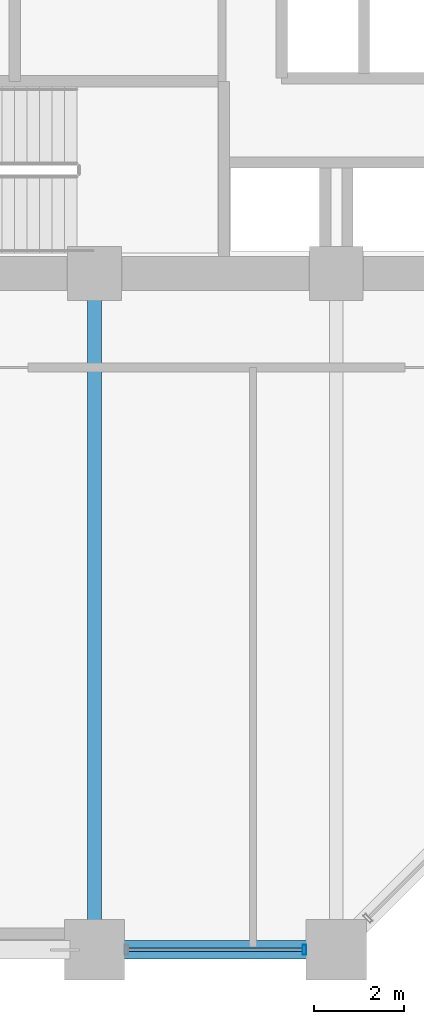
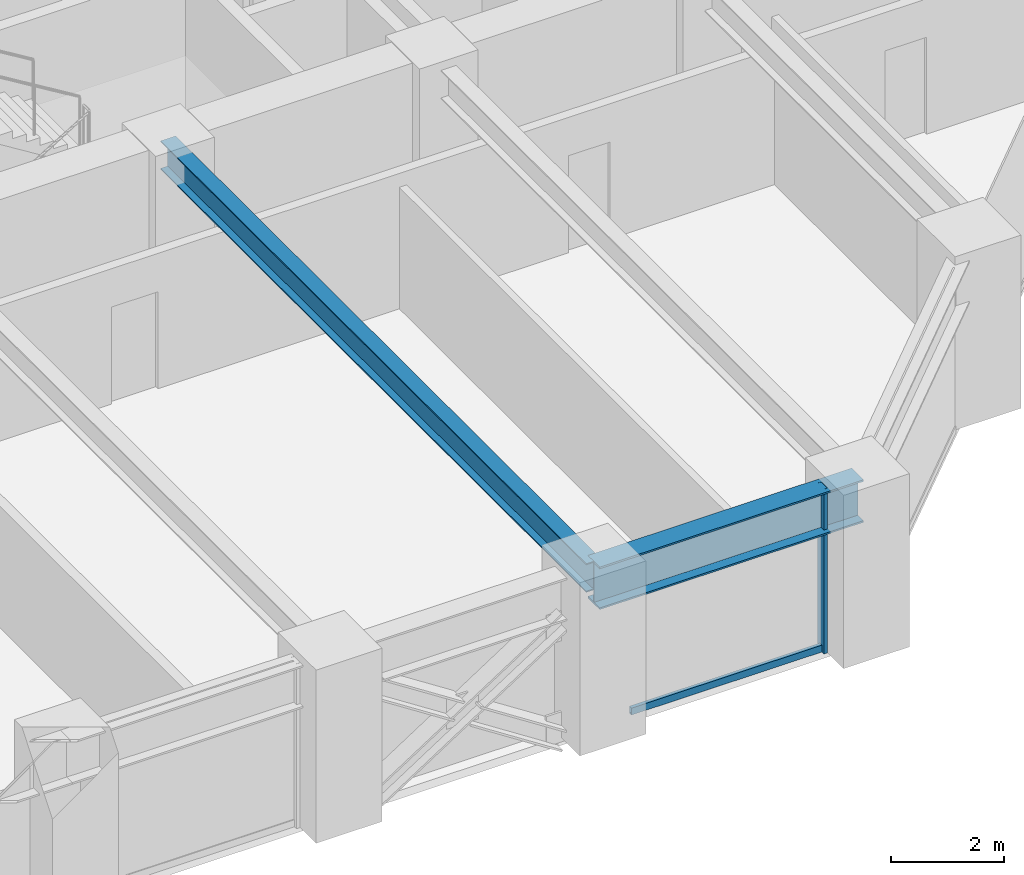
# One storey, part 5 of 25: 2 beams, 2 members, 1 element without a shape of its own.
"""IFC4 building model written with IfcOpenShell, lengths in metres."""

import ifcopenshell
import ifcopenshell.guid

model = None  # the IFC model being written
_history = None  # IfcOwnerHistory: only IFC2X3 demands one
_inside = {}  # id of a spatial element -> (the spatial element, [elements in it])
_under = {}  # id of a project, library or spatial element -> (it, [spatial elements below it])
_declared = {}  # id of a project -> (the project, [libraries it declares])
_typed = {}  # id of a type object -> (the type object, [elements of that type])
_made_of = {}  # id of a material, layer set ... -> (it, [elements and type objects made of it])


def new_model(schema):
    """Start an empty IFC model of exactly this schema.

    Asked for "IFC4X3", IfcOpenShell would pick the latest addendum, in which some entities
    have other attributes; the version numbers below select the first issue.
    IFC2X3 requires an IfcOwnerHistory on every rooted entity: one is made here for all.
    """
    global model, _history
    if schema == "IFC4X3":
        model = ifcopenshell.file(schema_version=(4, 3, 0, 0))
    else:
        model = ifcopenshell.file(schema=schema)
    _inside.clear()
    _under.clear()
    _declared.clear()
    _typed.clear()
    _made_of.clear()
    _history = None
    if model.schema == "IFC2X3":
        org = make("IfcOrganization", Name="unknown")
        user = make(
            "IfcPersonAndOrganization",
            ThePerson=make("IfcPerson", FamilyName="unknown"),
            TheOrganization=org,
        )
        app = make(
            "IfcApplication",
            ApplicationDeveloper=org,
            Version="unknown",
            ApplicationFullName="unknown",
            ApplicationIdentifier="unknown",
        )
        _history = make(
            "IfcOwnerHistory",
            OwningUser=user,
            OwningApplication=app,
            ChangeAction="ADDED",
            CreationDate=0,
        )
    return model


def make(cls, **values):
    """One entity of the class cls with the attributes given. An attribute that is None is left unset."""
    return model.create_entity(
        cls, **{name: value for name, value in values.items() if value is not None}
    )


def rooted(cls, **values):
    """An entity with a GlobalId (a new one), such as an element, a storey or a relation."""
    return make(cls, GlobalId=ifcopenshell.guid.new(), OwnerHistory=_history, **values)


def si_unit(unit_type, name, prefix=None):
    """IfcSIUnit, for example si_unit("LENGTHUNIT", "METRE", prefix="MILLI")."""
    return make("IfcSIUnit", UnitType=unit_type, Prefix=prefix, Name=name)


def assignment(units):
    """IfcUnitAssignment: the units of a project."""
    return None if units is None else make("IfcUnitAssignment", Units=units)


def point(xyz):
    """IfcCartesianPoint."""
    return None if xyz is None else make("IfcCartesianPoint", Coordinates=xyz)


def direction(xyz):
    """IfcDirection."""
    return None if xyz is None else make("IfcDirection", DirectionRatios=xyz)


def frame(location, z_axis=None, x_axis=None):
    """IfcAxis2Placement3D, a coordinate frame: its origin and axes. An axis left out is left unset."""
    return make(
        "IfcAxis2Placement3D",
        Location=point(location),
        Axis=direction(z_axis),
        RefDirection=direction(x_axis),
    )


def frame_2d(location, x_axis=None):
    """IfcAxis2Placement2D, a coordinate frame in the plane: its origin and x axis."""
    return make(
        "IfcAxis2Placement2D", Location=point(location), RefDirection=direction(x_axis)
    )


def origin():
    """The frame at (0, 0, 0) with its axes left unset."""
    return frame((0.0, 0.0, 0.0))


def origin_2d():
    """The frame at (0, 0) in the plane with its x axis left unset."""
    return frame_2d((0.0, 0.0))


def place(relative_to, where):
    """IfcLocalPlacement: puts the frame where relative to a parent placement (None: the world)."""
    return make(
        "IfcLocalPlacement", PlacementRelTo=relative_to, RelativePlacement=where
    )


def context(
    kind, dimensions, precision=None, world=None, true_north=None, identifier=None
):
    """IfcGeometricRepresentationContext, for example the 3D "Model" context."""
    return make(
        "IfcGeometricRepresentationContext",
        ContextIdentifier=identifier,
        ContextType=kind,
        CoordinateSpaceDimension=dimensions,
        Precision=precision,
        WorldCoordinateSystem=world,
        TrueNorth=true_north,
    )


def subcontext(parent, identifier, kind, view, scale=None):
    """IfcGeometricRepresentationSubContext, for example "Body" below "Model"."""
    return make(
        "IfcGeometricRepresentationSubContext",
        ContextIdentifier=identifier,
        ContextType=kind,
        ParentContext=parent,
        TargetScale=scale,
        TargetView=view,
    )


def project(units=None, contexts=None):
    """IfcProject with its units and contexts."""
    return rooted(
        "IfcProject",
        Name="project",
        RepresentationContexts=contexts,
        UnitsInContext=assignment(units),
    )


def spatial(cls, under=None, at=None, **own):
    """A site, building, storey or space (cls), placed at a placement, below another one or the project."""
    s = rooted(cls, ObjectPlacement=at, **own)
    if under is not None:
        _under.setdefault(under.id(), (under, []))[1].append(s)
    return s


def profile(cls, at=None, kind="AREA", **sizes):
    """A parametric profile (cls). Its sizes go by their IFC names, for example OverallWidth=200.0."""
    return make(cls, ProfileType=kind, Position=at, **sizes)


def hollow_rectangle(**sizes):
    """IfcRectangleHollowProfileDef."""
    return profile("IfcRectangleHollowProfileDef", **sizes)


def i_section(**sizes):
    """IfcIShapeProfileDef."""
    return profile("IfcIShapeProfileDef", **sizes)


def extrude(swept, where, along, depth):
    """IfcExtrudedAreaSolid: the profile swept, set in the frame where, extruded along a direction by depth."""
    return make(
        "IfcExtrudedAreaSolid",
        SweptArea=swept,
        Position=where,
        ExtrudedDirection=direction(along),
        Depth=depth,
    )


def shape(context_of_items, identifier, shape_type, items):
    """IfcShapeRepresentation: the items that make up one representation, for example the "Body"."""
    return make(
        "IfcShapeRepresentation",
        ContextOfItems=context_of_items,
        RepresentationIdentifier=identifier,
        RepresentationType=shape_type,
        Items=items,
    )


def material(Name=None, Category=None):
    """IfcMaterial."""
    return make("IfcMaterial", Name=Name, Category=Category)


def layer(
    of_material, thickness, ventilated=None, Name=None, Category=None, Priority=None
):
    """IfcMaterialLayer: one layer of a wall or slab, of a material (None: an air gap)."""
    return make(
        "IfcMaterialLayer",
        Material=of_material,
        LayerThickness=thickness,
        IsVentilated=ventilated,
        Name=Name,
        Category=Category,
        Priority=Priority,
    )


def layer_set(layers, Name=None):
    """IfcMaterialLayerSet."""
    return make("IfcMaterialLayerSet", MaterialLayers=layers, LayerSetName=Name)


def material_profile(
    of_material, cross_section, Name=None, Category=None, Priority=None
):
    """IfcMaterialProfile: a cross section and its material."""
    return make(
        "IfcMaterialProfile",
        Name=Name,
        Material=of_material,
        Profile=cross_section,
        Priority=Priority,
        Category=Category,
    )


def profile_set(profiles, Name=None, composite=None):
    """IfcMaterialProfileSet."""
    return make(
        "IfcMaterialProfileSet",
        Name=Name,
        MaterialProfiles=profiles,
        CompositeProfile=composite,
    )


def made_of(thing, what):
    """Note that an element or type object is made of a material, layer set ...; save() writes the relation."""
    if what is not None:
        _made_of.setdefault(what.id(), (what, []))[1].append(thing)
    return thing


def type_object(cls, material=None, **own):
    """A type object (cls), such as IfcWallType, which elements share."""
    return made_of(rooted(cls, **own), material)


def element(
    cls,
    number,
    at=None,
    inside=None,
    cuts=None,
    type_object=None,
    material=None,
    context=None,
    identifier="Body",
    shape_type=None,
    held_by="IfcProductDefinitionShape",
    body=None,
    shapes=None,
    **own,
):
    """One element of the class cls, such as IfcWall. Its Tag is "e" and its number.

    at: its placement. inside: the storey or other place that contains it. cuts: it is an
    opening in that element (IfcRelVoidsElement). A single representation is given by context,
    identifier, shape_type and body (its items); several are given by shapes. held_by: the class
    of the entity that holds the representations. save() writes the other relations.
    """
    e = rooted(cls, Tag="e%d" % number, ObjectPlacement=at, **own)
    if body is not None:
        shapes = [shape(context, identifier, shape_type, body)]
    if shapes is not None:
        e.Representation = make(held_by, Representations=shapes)
    if inside is not None:
        _inside.setdefault(inside.id(), (inside, []))[1].append(e)
    if cuts is not None:
        rooted(
            "IfcRelVoidsElement", RelatingBuildingElement=cuts, RelatedOpeningElement=e
        )
    if type_object is not None:
        _typed.setdefault(type_object.id(), (type_object, []))[1].append(e)
    return made_of(e, material)


def aggregate(whole, parts):
    """IfcRelAggregates: a whole, such as a stair, and the parts it consists of."""
    return rooted("IfcRelAggregates", RelatingObject=whole, RelatedObjects=parts)


def save(model, path):
    """Write the relations noted so far, then the file.

    IfcRelAggregates (storeys below a building ...), IfcRelContainedInSpatialStructure (elements
    in a storey), IfcRelDefinesByType, IfcRelAssociatesMaterial and IfcRelDeclares: one each for
    every whole, place, type object, material and project.
    """
    for whole, parts in _under.values():
        aggregate(whole, parts)
    for where, things in _inside.values():
        rooted(
            "IfcRelContainedInSpatialStructure",
            RelatedElements=things,
            RelatingStructure=where,
        )
    for kind, things in _typed.values():
        rooted("IfcRelDefinesByType", RelatedObjects=things, RelatingType=kind)
    for what, things in _made_of.values():
        rooted("IfcRelAssociatesMaterial", RelatedObjects=things, RelatingMaterial=what)
    for by, libraries in _declared.values():
        rooted("IfcRelDeclares", RelatingContext=by, RelatedDefinitions=libraries)
    model.write(path)


model = new_model("IFC4")

# Units and contexts
model_context = context("Model", 3, precision=1e-05, world=origin(), true_north=direction((0.0, 1.0)))
body_context = subcontext(model_context, "Body", "Model", "MODEL_VIEW")
ifc_project = project(units=[si_unit("LENGTHUNIT", "METRE"), si_unit("AREAUNIT", "SQUARE_METRE"), si_unit("VOLUMEUNIT", "CUBIC_METRE"), si_unit("PLANEANGLEUNIT", "RADIAN"), si_unit("MASSUNIT", "GRAM", prefix="KILO")], contexts=[model_context])

# Site, building, storey
site_placement = place(None, origin())
site = spatial("IfcSite", under=ifc_project, at=site_placement, CompositionType="ELEMENT")
building_placement = place(site_placement, origin())
building = spatial("IfcBuilding", under=site, at=building_placement, Name="Surkhivell Harbour Commons", CompositionType="ELEMENT")
storey_placement = place(building_placement, frame((0.0, 0.0, 52.5)))
storey = spatial("IfcBuildingStorey", under=building, at=storey_placement, Name="L13", CompositionType="ELEMENT", Elevation=52.5)

# Beams
ifc_material_1 = material(Name="Steel S355", Category="steel")
ifc_material_profile_1 = material_profile(ifc_material_1, i_section(OverallWidth=0.306884765625, OverallDepth=0.6201171875, WebThickness=0.01416015625, FlangeThickness=0.023681640625, at=origin_2d()), Name="UB610x305x179")
ifc_profile_set_1 = profile_set([ifc_material_profile_1], Name="Steel S355")
beam_type_1 = type_object("IfcBeamType", Name="BM-GRD-610A", PredefinedType="BEAM", material=ifc_profile_set_1)
beam_1_placement = place(storey_placement, frame((-5.39990234375, -25.89990234375, 3.260009765625), z_axis=(0.0, 1.0, 0.0), x_axis=(-1.0, 0.0, 0.0)))
element("IfcBeam", 1, at=beam_1_placement, inside=storey, type_object=beam_type_1, Name="L13 Floor Girder (-5.4,-25.9)", PredefinedType="BEAM", context=body_context, shape_type="SweptSolid", body=[
    extrude(i_section(OverallWidth=0.306884765625, OverallDepth=0.6201171875, WebThickness=0.01416015625, FlangeThickness=0.023681640625, at=origin_2d()), origin(), (0.0, 0.0, 1.0), 15.099853515625),
])
ifc_material_2 = material(Name="Steel S460", Category="steel")
ifc_material_profile_2 = material_profile(ifc_material_2, i_section(OverallWidth=0.419921875, OverallDepth=0.9208984375, WebThickness=0.021484375, FlangeThickness=0.03662109375, at=origin_2d()), Name="UB914x419x388")
ifc_profile_set_2 = profile_set([ifc_material_profile_2], Name="Steel S460")
beam_type_2 = type_object("IfcBeamType", Name="BM-SPN-914A", PredefinedType="SPANDREL", material=ifc_profile_set_2)
beam_2_placement = place(storey_placement, frame((-5.39990234375, -25.89990234375, 3.109619140625), z_axis=(1.0, 0.0, 0.0), x_axis=(0.0, 1.0, 0.0)))
element("IfcBeam", 2, at=beam_2_placement, inside=storey, type_object=beam_type_2, Name="L13 Tube Spandrel (-5.4,-25.9)", PredefinedType="SPANDREL", context=body_context, shape_type="SweptSolid", body=[
    extrude(i_section(OverallWidth=0.419921875, OverallDepth=0.9208984375, WebThickness=0.021484375, FlangeThickness=0.03662109375, at=origin_2d()), origin(), (0.0, 0.0, 1.0), 5.39990234375),
])

# Curtain wall, members
ifc_material_3 = material(Name="Anodised pale-metal aluminium and insulated glazing", Category="aluminium")
ifc_layer = layer(ifc_material_3, 0.219970703125)
ifc_layer_set = layer_set([ifc_layer], Name="Anodised pale-metal aluminium and insulated glazing")
curtain_wall_type = type_object("IfcCurtainWallType", Name="CW-SYS-Z1", PredefinedType="NOTDEFINED", material=ifc_layer_set)
curtain_wall_placement = place(storey_placement, origin())
curtain_wall = element("IfcCurtainWall", 3, at=curtain_wall_placement, inside=storey, type_object=curtain_wall_type, Name="L13 Curtain Wall CW-L13-E00S2", PredefinedType="NOTDEFINED")
ifc_material_4 = material(Name="Anodised pale-metal aluminium alloy 6063-T6", Category="aluminium")
ifc_material_profile_3 = material_profile(ifc_material_4, hollow_rectangle(XDim=0.074951171875, YDim=0.219970703125, WallThickness=0.00390625, at=origin_2d()), Name="ALU-MULL-75x220")
ifc_profile_set_3 = profile_set([ifc_material_profile_3], Name="Anodised pale-metal aluminium alloy 6063-T6")
member_type_1 = type_object("IfcMemberType", Name="CWM-220", PredefinedType="MULLION", material=ifc_profile_set_3)
member_1_placement = place(storey_placement, frame((-0.714599609375, -25.89990234375, 0.0), z_axis=(0.0, 0.0, 1.0), x_axis=(1.0, 0.0, 0.0)))
member_1 = element("IfcMember", 4, at=member_1_placement, type_object=member_type_1, Name="CW-Z1 mullion 2", PredefinedType="MULLION", context=body_context, shape_type="SweptSolid", body=[
    extrude(hollow_rectangle(XDim=0.074951171875, YDim=0.219970703125, WallThickness=0.00390625, at=origin_2d()), origin(), (0.0, 0.0, 1.0), 3.570068359375),
])
ifc_material_profile_4 = material_profile(ifc_material_4, hollow_rectangle(XDim=0.074951171875, YDim=0.14990234375, WallThickness=0.00341796875, at=origin_2d()), Name="ALU-TRAN-75x150")
ifc_profile_set_4 = profile_set([ifc_material_profile_4], Name="Anodised pale-metal aluminium alloy 6063-T6")
member_type_2 = type_object("IfcMemberType", Name="CWT-150", PredefinedType="USERDEFINED", material=ifc_profile_set_4)
member_2_placement = place(storey_placement, frame((-4.64794921875, -25.89990234375, 0.074951171875), z_axis=(1.0, 0.0, 0.0), x_axis=(0.0, 1.0, 0.0)))
member_2 = element("IfcMember", 5, at=member_2_placement, type_object=member_type_2, Name="CW-Z1 transom 1.1", ObjectType="TRANSOM", PredefinedType="USERDEFINED", context=body_context, shape_type="SweptSolid", body=[
    extrude(hollow_rectangle(XDim=0.074951171875, YDim=0.14990234375, WallThickness=0.00341796875, at=origin_2d()), origin(), (0.0, 0.0, 1.0), 3.89599609375),
])
aggregate(curtain_wall, [member_1, member_2])

save(model, "model.ifc")
